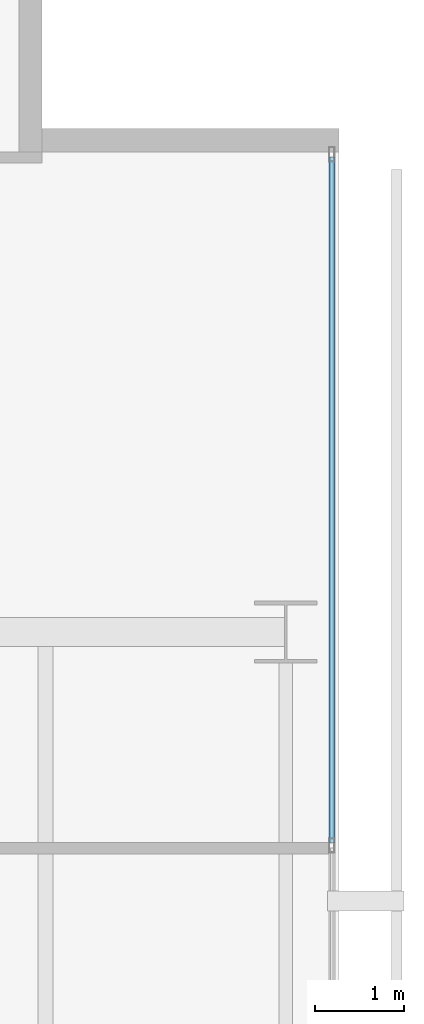
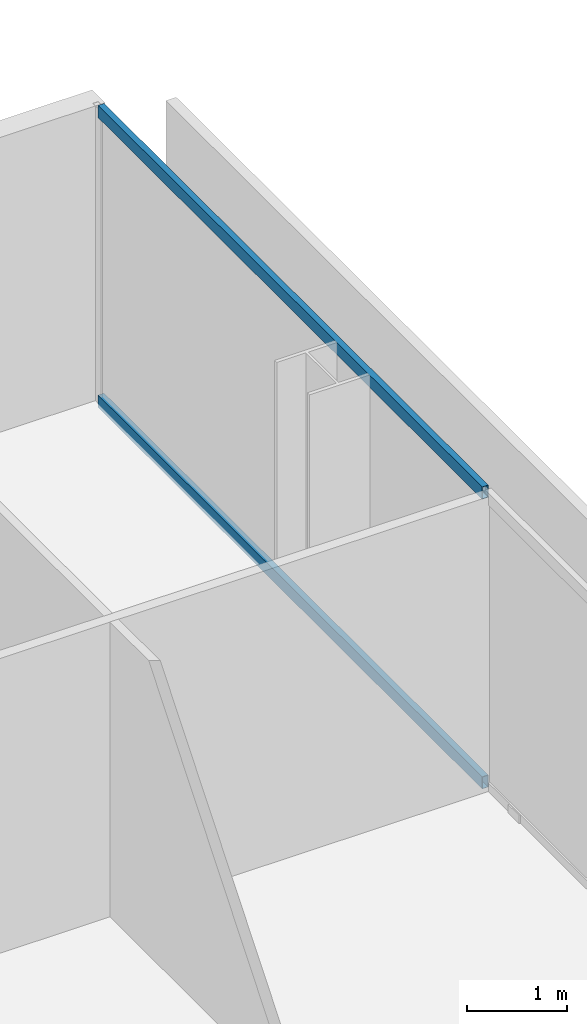
# One storey, part 29 of 40: 2 members, 1 element without a shape of its own.
"""IFC4 building model written with IfcOpenShell, lengths in metres."""

from ifc_helpers import new_model, si_unit, direction, frame, origin, origin_2d, place, context, subcontext, project, spatial, hollow_rectangle, extrude, material, layer, layer_set, material_profile, profile_set, type_object, element, aggregate, save


model = new_model("IFC4")

# Units and contexts
model_context = context("Model", 3, precision=1e-05, world=origin(), true_north=direction((0.0, 1.0)))
body_context = subcontext(model_context, "Body", "Model", "MODEL_VIEW")
ifc_project = project(units=[si_unit("LENGTHUNIT", "METRE"), si_unit("AREAUNIT", "SQUARE_METRE"), si_unit("VOLUMEUNIT", "CUBIC_METRE"), si_unit("PLANEANGLEUNIT", "RADIAN"), si_unit("MASSUNIT", "GRAM", prefix="KILO")], contexts=[model_context])

# Site, building, storey
site_placement = place(None, origin())
site = spatial("IfcSite", under=ifc_project, at=site_placement, CompositionType="ELEMENT")
building_placement = place(site_placement, origin())
building = spatial("IfcBuilding", under=site, at=building_placement, Name="Maruvema Waterfront Hotel and Observation Tower", CompositionType="ELEMENT")
storey_placement = place(building_placement, frame((0.0, 0.0, 88.550048828125)))
storey = spatial("IfcBuildingStorey", under=building, at=storey_placement, Name="L21", CompositionType="ELEMENT", Elevation=88.550048828125)

# Curtain wall, members
ifc_material_1 = material(Name="Anodised bronze aluminium and solar-control low-E IGU", Category="aluminium")
ifc_layer = layer(ifc_material_1, 0.159912109375, Name="Zone 1 Bronze Inner Thermal Curtain Wall System CW-02")
ifc_layer_set = layer_set([ifc_layer], Name="Anodised bronze aluminium and solar-control low-E IGU")
curtain_wall_type = type_object("IfcCurtainWallType", Name="Zone 1 Bronze Inner Thermal Curtain Wall System CW-02", PredefinedType="USERDEFINED", material=ifc_layer_set)
curtain_wall_placement = place(storey_placement, origin())
curtain_wall = element("IfcCurtainWall", 1, at=curtain_wall_placement, inside=storey, type_object=curtain_wall_type, Name="L21 Curtain Wall CW-L21-E", ObjectType="UNITISED CURTAIN WALL", PredefinedType="USERDEFINED")
ifc_material_2 = material(Name="Anodised architectural bronze aluminium", Category="aluminium")
ifc_material_profile = material_profile(ifc_material_2, hollow_rectangle(XDim=0.070068359375, YDim=0.14990234375, WallThickness=0.00390625, at=origin_2d()), Name="ALU-T70x150")
ifc_profile_set = profile_set([ifc_material_profile], Name="Anodised architectural bronze aluminium")
member_type = type_object("IfcMemberType", Name="Curtain Wall Horizontal Transom ALU-T70x150", PredefinedType="USERDEFINED", material=ifc_profile_set)
member_1_placement = place(storey_placement, frame((64.719970703125, 42.6298828125, 0.030029296875), z_axis=(0.0, 1.0, 0.0), x_axis=(-1.0, 0.0, 0.0)))
member_1 = element("IfcMember", 2, at=member_1_placement, type_object=member_type, Name="CW-02 transom 6.1", ObjectType="TRANSOM", PredefinedType="USERDEFINED", context=body_context, shape_type="SweptSolid", body=[
    extrude(hollow_rectangle(XDim=0.070068359375, YDim=0.14990234375, WallThickness=0.00390625, at=origin_2d()), origin(), (0.0, 0.0, 1.0), 7.710205078125),
])
member_2_placement = place(storey_placement, frame((64.719970703125, 42.6298828125, 3.579833984375), z_axis=(0.0, 1.0, 0.0), x_axis=(-1.0, 0.0, 0.0)))
member_2 = element("IfcMember", 3, at=member_2_placement, type_object=member_type, Name="CW-02 transom 6.2", ObjectType="TRANSOM", PredefinedType="USERDEFINED", context=body_context, shape_type="SweptSolid", body=[
    extrude(hollow_rectangle(XDim=0.070068359375, YDim=0.14990234375, WallThickness=0.00390625, at=origin_2d()), origin(), (0.0, 0.0, 1.0), 7.710205078125),
])
aggregate(curtain_wall, [member_1, member_2])

save(model, "model.ifc")
